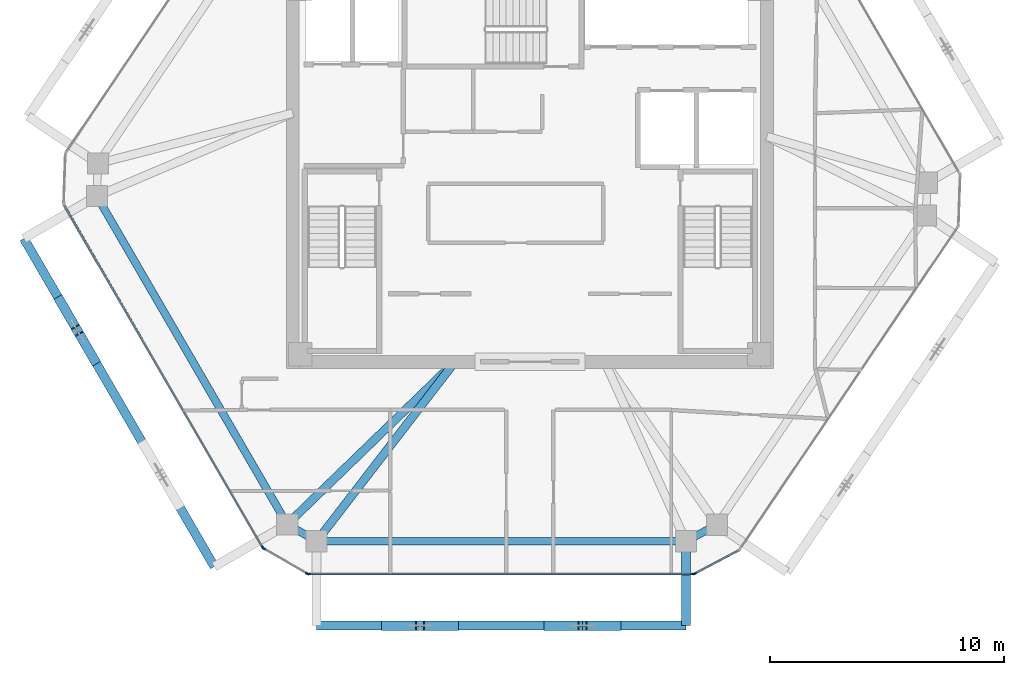
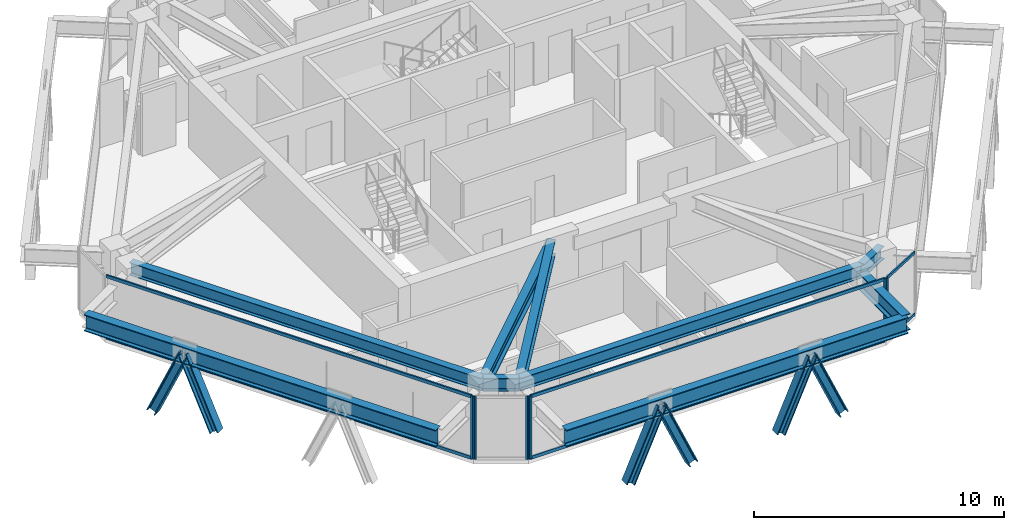
# One storey, part 2 of 13: 18 members, 9 beams, 4 elements without a shape of their own.
"""IFC4 building model written with IfcOpenShell, lengths in metres."""

from ifc_helpers import new_model, si_unit, direction, frame, origin, origin_2d, place, context, subcontext, project, spatial, rectangle, i_section, extrude, source, transform, mapped, material, layer, layer_set, material_profile, profile_set, type_object, type_shapes, element, aggregate, save


model = new_model("IFC4")

# Units and contexts
model_context = context("Model", 3, precision=1e-05, world=origin(), true_north=direction((0.0, 1.0)))
body_context = subcontext(model_context, "Body", "Model", "MODEL_VIEW")
ifc_project = project(units=[si_unit("LENGTHUNIT", "METRE"), si_unit("AREAUNIT", "SQUARE_METRE"), si_unit("VOLUMEUNIT", "CUBIC_METRE"), si_unit("PLANEANGLEUNIT", "RADIAN"), si_unit("MASSUNIT", "GRAM", prefix="KILO")], contexts=[model_context])

# Site, building, storey
site_placement = place(None, origin())
site = spatial("IfcSite", under=ifc_project, at=site_placement, CompositionType="ELEMENT")
building_placement = place(site_placement, origin())
building = spatial("IfcBuilding", under=site, at=building_placement, Name="Durnholm Broadcast Tower", CompositionType="ELEMENT")
storey_placement = place(building_placement, frame((0.0, 0.0, 241.39990234375)))
storey = spatial("IfcBuildingStorey", under=building, at=storey_placement, Name="L67", CompositionType="ELEMENT", Elevation=241.39990234375)

# Beams
ifc_material_1 = material(Name="Steel ASTM A992 Grade 50", Category="steel")
ifc_material_profile_1 = material_profile(ifc_material_1, i_section(OverallWidth=0.385009765625, OverallDepth=0.802978515625, WebThickness=0.023681640625, FlangeThickness=0.0419921875, FilletRadius=0.032958984375, at=origin_2d()), Name="W30X261")
ifc_profile_set_1 = profile_set([ifc_material_profile_1], Name="Steel ASTM A992 Grade 50")
beam_type_1 = type_object("IfcBeamType", Name="BM-EXO-TIE", PredefinedType="USERDEFINED", material=ifc_profile_set_1)
shared_shape_1 = source(origin(), body_context, "Body", "SweptSolid", [
    extrude(i_section(OverallWidth=0.385009765625, OverallDepth=0.802978515625, WebThickness=0.023681640625, FlangeThickness=0.0419921875, FilletRadius=0.032958984375, at=origin_2d()), origin(), (0.0, 0.0, 1.0), 3.4560546875),
])
beam_1_placement = place(storey_placement, frame((6.663818359375, -15.929931640625, 2.30859375), z_axis=(0.0, -1.0, 0.0), x_axis=(1.0, 0.0, 0.0)))
element("IfcBeam", 1, at=beam_1_placement, inside=storey, type_object=beam_type_1, Name="L67 exoskeleton stand-off tie bracket F1.2", ObjectType="GIRDER", PredefinedType="USERDEFINED", context=body_context, shape_type="MappedRepresentation", body=[
    mapped(shared_shape_1, transform((0.0, 0.0, 0.0), x_axis=(1.0, 0.0, 0.0), y_axis=(0.0, 1.0, 0.0), z_axis=(0.0, 0.0, 1.0), scale=1.0)),
])
ifc_material_profile_2 = material_profile(ifc_material_1, i_section(OverallWidth=0.3251953125, OverallDepth=0.6162109375, WebThickness=0.013916015625, FlangeThickness=0.021484375, FilletRadius=0.02783203125, at=origin_2d()), Name="W24X117")
ifc_profile_set_2 = profile_set([ifc_material_profile_2], Name="Steel ASTM A992 Grade 50")
beam_type_2 = type_object("IfcBeamType", Name="STL-SP-W24X117", PredefinedType="SPANDREL", material=ifc_profile_set_2)
shared_shape_2 = source(origin(), body_context, "Body", "SweptSolid", [
    extrude(i_section(OverallWidth=0.3251953125, OverallDepth=0.6162109375, WebThickness=0.013916015625, FlangeThickness=0.021484375, FilletRadius=0.02783203125, at=origin_2d()), origin(), (0.0, 0.0, 1.0), 16.202880859375),
])
beam_2_placement = place(storey_placement, frame((-10.361328125, -15.061767578125, 2.737060546875), z_axis=(-0.501948303381, 0.864897624423, 0.0), x_axis=(-0.864897624423, -0.501948303381, 0.0)))
element("IfcBeam", 2, at=beam_2_placement, inside=storey, type_object=beam_type_2, Name="L67 perimeter spandrel girder 01", PredefinedType="SPANDREL", context=body_context, shape_type="MappedRepresentation", body=[
    mapped(shared_shape_2, transform((0.0, 0.0, 0.0), x_axis=(1.0, 0.0, 0.0), y_axis=(0.0, 1.0, 0.0), z_axis=(0.0, 0.0, 1.0), scale=1.0)),
])
shared_shape_3 = source(origin(), body_context, "Body", "SweptSolid", [
    extrude(i_section(OverallWidth=0.3251953125, OverallDepth=0.6162109375, WebThickness=0.013916015625, FlangeThickness=0.021484375, FilletRadius=0.02783203125, at=origin_2d()), origin(), (0.0, 0.0, 1.0), 1.502685546875),
])
beam_3_placement = place(storey_placement, frame((7.990966796875, -15.081298828125, 2.737060546875), z_axis=(-0.883241909673, -0.468917614296, 0.0), x_axis=(0.468917614296, -0.883241909673, 0.0)))
element("IfcBeam", 3, at=beam_3_placement, inside=storey, type_object=beam_type_2, Name="L67 perimeter spandrel girder 10", PredefinedType="SPANDREL", context=body_context, shape_type="MappedRepresentation", body=[
    mapped(shared_shape_3, transform((0.0, 0.0, 0.0), x_axis=(1.0, 0.0, 0.0), y_axis=(0.0, 1.0, 0.0), z_axis=(0.0, 0.0, 1.0), scale=1.0)),
])
shared_shape_4 = source(origin(), body_context, "Body", "SweptSolid", [
    extrude(i_section(OverallWidth=0.3251953125, OverallDepth=0.6162109375, WebThickness=0.013916015625, FlangeThickness=0.021484375, FilletRadius=0.02783203125, at=origin_2d()), origin(), (0.0, 0.0, 1.0), 15.767578125),
])
beam_4_placement = place(storey_placement, frame((6.663818359375, -15.785888671875, 2.737060546875), z_axis=(-1.0, 0.0, 0.0), x_axis=(0.0, -1.0, 0.0)))
element("IfcBeam", 4, at=beam_4_placement, inside=storey, type_object=beam_type_2, Name="L67 perimeter spandrel girder 11", PredefinedType="SPANDREL", context=body_context, shape_type="MappedRepresentation", body=[
    mapped(shared_shape_4, transform((0.0, 0.0, 0.0), x_axis=(1.0, 0.0, 0.0), y_axis=(0.0, 1.0, 0.0), z_axis=(0.0, 0.0, 1.0), scale=1.0)),
])
shared_shape_5 = source(origin(), body_context, "Body", "SweptSolid", [
    extrude(i_section(OverallWidth=0.3251953125, OverallDepth=0.6162109375, WebThickness=0.013916015625, FlangeThickness=0.021484375, FilletRadius=0.02783203125, at=origin_2d()), origin(), (0.0, 0.0, 1.0), 1.451171875),
])
type_shapes(beam_type_2, [shared_shape_2, shared_shape_3, shared_shape_4, shared_shape_5])
beam_5_placement = place(storey_placement, frame((-9.103759765625, -15.785888671875, 2.737060546875), z_axis=(-0.866602615509, 0.498998904601, 0.0), x_axis=(-0.498998904601, -0.866602615509, 0.0)))
element("IfcBeam", 5, at=beam_5_placement, inside=storey, type_object=beam_type_2, Name="L67 perimeter spandrel girder 12", PredefinedType="SPANDREL", context=body_context, shape_type="MappedRepresentation", body=[
    mapped(shared_shape_5, transform((0.0, 0.0, 0.0), x_axis=(1.0, 0.0, 0.0), y_axis=(0.0, 1.0, 0.0), z_axis=(0.0, 0.0, 1.0), scale=1.0)),
])
shared_shape_6 = source(origin(), body_context, "Body", "SweptSolid", [
    extrude(i_section(OverallWidth=0.385009765625, OverallDepth=0.802978515625, WebThickness=0.023681640625, FlangeThickness=0.0419921875, FilletRadius=0.032958984375, at=origin_2d()), origin(), (0.0, 0.0, 1.0), 15.767578125),
])
beam_6_placement = place(storey_placement, frame((-9.103759765625, -19.385986328125, 2.30859375), z_axis=(1.0, 0.0, 0.0), x_axis=(0.0, 1.0, 0.0)))
element("IfcBeam", 6, at=beam_6_placement, inside=storey, type_object=beam_type_1, Name="L67 exoskeleton collector spandrel F1", PredefinedType="SPANDREL", context=body_context, shape_type="MappedRepresentation", body=[
    mapped(shared_shape_6, transform((0.0, 0.0, 0.0), x_axis=(1.0, 0.0, 0.0), y_axis=(0.0, 1.0, 0.0), z_axis=(0.0, 0.0, 1.0), scale=1.0)),
])
shared_shape_7 = source(origin(), body_context, "Body", "SweptSolid", [
    extrude(i_section(OverallWidth=0.385009765625, OverallDepth=0.802978515625, WebThickness=0.023681640625, FlangeThickness=0.0419921875, FilletRadius=0.032958984375, at=origin_2d()), origin(), (0.0, 0.0, 1.0), 16.20263671875),
])
type_shapes(beam_type_1, [shared_shape_1, shared_shape_6, shared_shape_7])
beam_7_placement = place(storey_placement, frame((-21.60791015625, -2.85498046875, 2.30859375), z_axis=(0.501943573333, -0.864900369516, 0.0), x_axis=(0.864900369516, 0.501943573333, 0.0)))
element("IfcBeam", 7, at=beam_7_placement, inside=storey, type_object=beam_type_1, Name="L67 exoskeleton collector spandrel F6", PredefinedType="SPANDREL", context=body_context, shape_type="MappedRepresentation", body=[
    mapped(shared_shape_7, transform((0.0, 0.0, 0.0), x_axis=(1.0, 0.0, 0.0), y_axis=(0.0, 1.0, 0.0), z_axis=(0.0, 0.0, 1.0), scale=1.0)),
])
ifc_material_profile_3 = material_profile(ifc_material_1, i_section(OverallWidth=0.3564453125, OverallDepth=0.713623046875, WebThickness=0.01904296875, FlangeThickness=0.033935546875, FilletRadius=0.030517578125, at=origin_2d()), Name="W27X194")
ifc_profile_set_3 = profile_set([ifc_material_profile_3], Name="Steel ASTM A992 Grade 50")
beam_type_3 = type_object("IfcBeamType", Name="STL-GR-W27X194", PredefinedType="USERDEFINED", material=ifc_profile_set_3)
shared_shape_8 = source(origin(), body_context, "Body", "SweptSolid", [
    extrude(i_section(OverallWidth=0.3564453125, OverallDepth=0.713623046875, WebThickness=0.01904296875, FlangeThickness=0.033935546875, FilletRadius=0.030517578125, at=origin_2d()), origin(), (0.0, 0.0, 1.0), 9.97021484375),
])
beam_8_placement = place(storey_placement, frame((-3.199951171875, -8.125, 2.688232421875), z_axis=(-0.718281140352, -0.695752975857, 0.0), x_axis=(0.695752975857, -0.718281140352, 0.0)))
element("IfcBeam", 8, at=beam_8_placement, inside=storey, type_object=beam_type_3, Name="L67 radial primary floor girder 01", ObjectType="GIRDER", PredefinedType="USERDEFINED", context=body_context, shape_type="MappedRepresentation", body=[
    mapped(shared_shape_8, transform((0.0, 0.0, 0.0), x_axis=(1.0, 0.0, 0.0), y_axis=(0.0, 1.0, 0.0), z_axis=(0.0, 0.0, 1.0), scale=1.0)),
])
shared_shape_9 = source(origin(), body_context, "Body", "SweptSolid", [
    extrude(i_section(OverallWidth=0.3564453125, OverallDepth=0.713623046875, WebThickness=0.01904296875, FlangeThickness=0.033935546875, FilletRadius=0.030517578125, at=origin_2d()), origin(), (0.0, 0.0, 1.0), 9.671875),
])
type_shapes(beam_type_3, [shared_shape_8, shared_shape_9])
beam_9_placement = place(storey_placement, frame((-3.199951171875, -8.125, 2.688232421875), z_axis=(-0.610413181287, -0.792083169945, 0.0), x_axis=(0.792083169945, -0.610413181287, 0.0)))
element("IfcBeam", 9, at=beam_9_placement, inside=storey, type_object=beam_type_3, Name="L67 radial primary floor girder 12", ObjectType="GIRDER", PredefinedType="USERDEFINED", context=body_context, shape_type="MappedRepresentation", body=[
    mapped(shared_shape_9, transform((0.0, 0.0, 0.0), x_axis=(1.0, 0.0, 0.0), y_axis=(0.0, 1.0, 0.0), z_axis=(0.0, 0.0, 1.0), scale=1.0)),
])

# Members
ifc_material_2 = material(Name="Steel ASTM A913 Grade 65", Category="steel")
ifc_material_profile_4 = material_profile(ifc_material_2, i_section(OverallWidth=0.40625, OverallDepth=0.416015625, WebThickness=0.02978515625, FlangeThickness=0.048095703125, FilletRadius=0.030517578125, at=origin_2d()), Name="W14X257")
ifc_profile_set_4 = profile_set([ifc_material_profile_4], Name="Steel ASTM A913 Grade 65")
member_type_1 = type_object("IfcMemberType", Name="STL-DG-W14X257", PredefinedType="BRACE", material=ifc_profile_set_4)
shared_shape_10 = source(origin(), body_context, "Body", "SweptSolid", [
    extrude(i_section(OverallWidth=0.40625, OverallDepth=0.416015625, WebThickness=0.02978515625, FlangeThickness=0.048095703125, FilletRadius=0.030517578125, at=origin_2d()), origin(), (0.0, 0.0, 1.0), 3.60791015625),
])
for number, where, z_axis, x_axis, name in (
    (10, (-6.14697265625, -19.385986328125, -0.991455078125), (0.404184914295, 0.0, 0.914677295584), (0.0, 1.0, 0.0), "L67 stand-off diagrid brace F1.D1.1"),
    (11, (0.79052734375, -19.385986328125, -0.991455078125), (0.404184914295, 0.0, 0.914677295584), (0.0, 1.0, 0.0), "L67 stand-off diagrid brace F1.D2.1"),
    (12, (3.70703125, -19.385986328125, -0.991455078125), (-0.404184914295, 0.0, 0.914677295584), (0.0, -1.0, 0.0), "L67 stand-off diagrid brace F1.D2.2"),
    (13, (-20.0625, -5.517578125, -0.991455078125), (0.202806304578, -0.349582038522, 0.914692298626), (0.864978863669, 0.501808295473, 0.0), "L67 stand-off diagrid brace F6.D1.1"),
    (14, (-18.5986328125, -8.0400390625, -0.991455078125), (-0.202936072208, 0.349572440488, 0.914667185072), (-0.864833498681, -0.50205878098, 0.0), "L67 stand-off diagrid brace F6.D1.2"),
):
    element("IfcMember", number, at=place(storey_placement, frame(where, z_axis=z_axis, x_axis=x_axis)), inside=storey, type_object=member_type_1, Name=name, PredefinedType="BRACE", context=body_context, shape_type="MappedRepresentation", body=[
        mapped(shared_shape_10, transform((0.0, 0.0, 0.0), x_axis=(1.0, 0.0, 0.0), y_axis=(0.0, 1.0, 0.0), z_axis=(0.0, 0.0, 1.0), scale=1.0)),
    ])
shared_shape_11 = source(origin(), body_context, "Body", "SweptSolid", [
    extrude(i_section(OverallWidth=0.40625, OverallDepth=0.416015625, WebThickness=0.02978515625, FlangeThickness=0.048095703125, FilletRadius=0.030517578125, at=origin_2d()), origin(), (0.0, 0.0, 1.0), 3.607666015625),
])
type_shapes(member_type_1, [shared_shape_10, shared_shape_11])
member_1_placement = place(storey_placement, frame((-3.230712890625, -19.385986328125, -0.991455078125), z_axis=(-0.404128298032, 0.0, 0.914702311536), x_axis=(0.0, -1.0, 0.0)))
element("IfcMember", 15, at=member_1_placement, inside=storey, type_object=member_type_1, Name="L67 stand-off diagrid brace F1.D1.2", PredefinedType="BRACE", context=body_context, shape_type="MappedRepresentation", body=[
    mapped(shared_shape_11, transform((0.0, 0.0, 0.0), x_axis=(1.0, 0.0, 0.0), y_axis=(0.0, 1.0, 0.0), z_axis=(0.0, 0.0, 1.0), scale=1.0)),
])

# Curtain wall, members
ifc_material_3 = material(Name="Aluminium and Solar Control IGU", Category="aluminium")
ifc_layer_1 = layer(ifc_material_3, 0.1650390625)
ifc_layer_set_1 = layer_set([ifc_layer_1], Name="Aluminium and Solar Control IGU")
curtain_wall_type_1 = type_object("IfcCurtainWallType", Name="CW-SYS-5", PredefinedType="NOTDEFINED", material=ifc_layer_set_1)
curtain_wall_1_placement = place(storey_placement, origin())
curtain_wall_1 = element("IfcCurtainWall", 16, at=curtain_wall_1_placement, inside=storey, type_object=curtain_wall_type_1, Name="L67 curtain wall CW-CORNER CW-L67-CRN-09", PredefinedType="NOTDEFINED")
ifc_material_4 = material(Name="Aluminium 6063-T6", Category="aluminium")
ifc_material_profile_5 = material_profile(ifc_material_4, rectangle(XDim=0.06494140625, YDim=0.1298828125, at=origin_2d()), Name="CWT65X130")
ifc_profile_set_5 = profile_set([ifc_material_profile_5], Name="Aluminium 6063-T6")
member_type_2 = type_object("IfcMemberType", Name="CW-SYS-5-TRN", PredefinedType="USERDEFINED", material=ifc_profile_set_5)
shared_shape_12 = source(origin(), body_context, "Body", "SweptSolid", [
    extrude(rectangle(XDim=0.06494140625, YDim=0.1298828125, at=origin_2d()), origin(), (0.0, 0.0, 1.0), 2.070068359375),
])
type_shapes(member_type_2, [shared_shape_12])
member_2_placement = place(storey_placement, frame((8.89794921875, -16.1845703125, 0.03271484375), z_axis=(-0.883164581026, -0.469063239682, 0.0), x_axis=(0.469063239682, -0.883164581026, 0.0)))
member_2 = element("IfcMember", 17, at=member_2_placement, type_object=member_type_2, Name="CW-CORNER transom 1.1", ObjectType="TRANSOM", PredefinedType="USERDEFINED", context=body_context, shape_type="MappedRepresentation", body=[
    mapped(shared_shape_12, transform((0.0, 0.0, 0.0), x_axis=(1.0, 0.0, 0.0), y_axis=(0.0, 1.0, 0.0), z_axis=(0.0, 0.0, 1.0), scale=1.0)),
])
member_3_placement = place(storey_placement, frame((8.89794921875, -16.1845703125, 3.027587890625), z_axis=(-0.883164581026, -0.469063239682, 0.0), x_axis=(0.469063239682, -0.883164581026, 0.0)))
member_3 = element("IfcMember", 18, at=member_3_placement, type_object=member_type_2, Name="CW-CORNER transom 1.2", ObjectType="TRANSOM", PredefinedType="USERDEFINED", context=body_context, shape_type="MappedRepresentation", body=[
    mapped(shared_shape_12, transform((0.0, 0.0, 0.0), x_axis=(1.0, 0.0, 0.0), y_axis=(0.0, 1.0, 0.0), z_axis=(0.0, 0.0, 1.0), scale=1.0)),
])
ifc_material_profile_6 = material_profile(ifc_material_4, rectangle(XDim=0.06494140625, YDim=0.1650390625, at=origin_2d()), Name="CWM65X165")
ifc_profile_set_6 = profile_set([ifc_material_profile_6], Name="Aluminium 6063-T6")
member_type_3 = type_object("IfcMemberType", Name="CW-SYS-5-MUL", PredefinedType="MULLION", material=ifc_profile_set_6)
shared_shape_13 = source(origin(), body_context, "Body", "SweptSolid", [
    extrude(rectangle(XDim=0.06494140625, YDim=0.1650390625, at=origin_2d()), origin(), (0.0, 0.0, 1.0), 3.06005859375),
])
type_shapes(member_type_3, [shared_shape_13])
member_4_placement = place(storey_placement, frame((7.041015625, -17.170654296875, 0.0), z_axis=(0.0, 0.0, 1.0), x_axis=(0.469006771575, -0.883194569853, 0.0)))
member_4 = element("IfcMember", 19, at=member_4_placement, type_object=member_type_3, Name="CW-CORNER mullion 2", PredefinedType="MULLION", context=body_context, shape_type="MappedRepresentation", body=[
    mapped(shared_shape_13, transform((0.0, 0.0, 0.0), x_axis=(1.0, 0.0, 0.0), y_axis=(0.0, 1.0, 0.0), z_axis=(0.0, 0.0, 1.0), scale=1.0)),
])
aggregate(curtain_wall_1, [member_4, member_2, member_3])

curtain_wall_2_placement = place(storey_placement, origin())
curtain_wall_2 = element("IfcCurtainWall", 20, at=curtain_wall_2_placement, inside=storey, type_object=curtain_wall_type_1, Name="L67 curtain wall CW-CORNER CW-L67-CRN-11", PredefinedType="NOTDEFINED")
member_5_placement = place(storey_placement, frame((-9.506103515625, -17.169677734375, 0.0), z_axis=(0.0, 0.0, 1.0), x_axis=(-0.499058582333, -0.866568249707, 0.0)))
member_5 = element("IfcMember", 21, at=member_5_placement, type_object=member_type_3, Name="CW-CORNER mullion 1", PredefinedType="MULLION", context=body_context, shape_type="MappedRepresentation", body=[
    mapped(shared_shape_13, transform((0.0, 0.0, 0.0), x_axis=(1.0, 0.0, 0.0), y_axis=(0.0, 1.0, 0.0), z_axis=(0.0, 0.0, 1.0), scale=1.0)),
])
member_6_placement = place(storey_placement, frame((-11.356201171875, -16.104248046875, 0.0), z_axis=(0.0, 0.0, 1.0), x_axis=(-0.499058582333, -0.866568249707, 0.0)))
member_6 = element("IfcMember", 22, at=member_6_placement, type_object=member_type_3, Name="CW-CORNER mullion 2", PredefinedType="MULLION", context=body_context, shape_type="MappedRepresentation", body=[
    mapped(shared_shape_13, transform((0.0, 0.0, 0.0), x_axis=(1.0, 0.0, 0.0), y_axis=(0.0, 1.0, 0.0), z_axis=(0.0, 0.0, 1.0), scale=1.0)),
])
aggregate(curtain_wall_2, [member_5, member_6])

ifc_layer_2 = layer(ifc_material_3, 0.18994140625)
ifc_layer_set_2 = layer_set([ifc_layer_2], Name="Aluminium and Solar Control IGU")
curtain_wall_type_2 = type_object("IfcCurtainWallType", Name="CW-SYS-4", PredefinedType="NOTDEFINED", material=ifc_layer_set_2)
curtain_wall_3_placement = place(storey_placement, origin())
curtain_wall_3 = element("IfcCurtainWall", 23, at=curtain_wall_3_placement, inside=storey, type_object=curtain_wall_type_2, Name="L67 curtain wall CW-Z34-VIS CW-L67-F10", PredefinedType="NOTDEFINED")
ifc_material_profile_7 = material_profile(ifc_material_4, rectangle(XDim=0.070068359375, YDim=0.18994140625, at=origin_2d()), Name="CWM70X190")
ifc_profile_set_7 = profile_set([ifc_material_profile_7], Name="Aluminium 6063-T6")
member_type_4 = type_object("IfcMemberType", Name="CW-SYS-4-MUL", PredefinedType="MULLION", material=ifc_profile_set_7)
shared_shape_14 = source(origin(), body_context, "Body", "SweptSolid", [
    extrude(rectangle(XDim=0.070068359375, YDim=0.18994140625, at=origin_2d()), origin(), (0.0, 0.0, 1.0), 3.06005859375),
])
type_shapes(member_type_4, [shared_shape_14])
member_7_placement = place(storey_placement, frame((6.977294921875, -17.18603515625, 0.0), z_axis=(0.0, 0.0, 1.0), x_axis=(0.0, -1.0, 0.0)))
member_7 = element("IfcMember", 24, at=member_7_placement, type_object=member_type_4, Name="CW-Z34-VIS mullion 1", PredefinedType="MULLION", context=body_context, shape_type="MappedRepresentation", body=[
    mapped(shared_shape_14, transform((0.0, 0.0, 0.0), x_axis=(1.0, 0.0, 0.0), y_axis=(0.0, 1.0, 0.0), z_axis=(0.0, 0.0, 1.0), scale=1.0)),
])
member_8_placement = place(storey_placement, frame((-9.443115234375, -17.18603515625, 0.0), z_axis=(0.0, 0.0, 1.0), x_axis=(0.0, -1.0, 0.0)))
member_8 = element("IfcMember", 25, at=member_8_placement, type_object=member_type_4, Name="CW-Z34-VIS mullion 2", PredefinedType="MULLION", context=body_context, shape_type="MappedRepresentation", body=[
    mapped(shared_shape_14, transform((0.0, 0.0, 0.0), x_axis=(1.0, 0.0, 0.0), y_axis=(0.0, 1.0, 0.0), z_axis=(0.0, 0.0, 1.0), scale=1.0)),
])

# Curtain wall, member
curtain_wall_4_placement = place(storey_placement, origin())
curtain_wall_4 = element("IfcCurtainWall", 26, at=curtain_wall_4_placement, inside=storey, type_object=curtain_wall_type_2, Name="L67 curtain wall CW-Z34-VIS CW-L67-F12", PredefinedType="NOTDEFINED")
member_9_placement = place(storey_placement, frame((-11.40185546875, -16.057861328125, 0.0), z_axis=(0.0, 0.0, 1.0), x_axis=(-0.864899883824, -0.50194441023, 0.0)))
member_9 = element("IfcMember", 27, at=member_9_placement, type_object=member_type_4, Name="CW-Z34-VIS mullion 1", PredefinedType="MULLION", context=body_context, shape_type="MappedRepresentation", body=[
    mapped(shared_shape_14, transform((0.0, 0.0, 0.0), x_axis=(1.0, 0.0, 0.0), y_axis=(0.0, 1.0, 0.0), z_axis=(0.0, 0.0, 1.0), scale=1.0)),
])

# Member
ifc_material_profile_8 = material_profile(ifc_material_4, rectangle(XDim=0.070068359375, YDim=0.14990234375, at=origin_2d()), Name="CWT70X150")
ifc_profile_set_8 = profile_set([ifc_material_profile_8], Name="Aluminium 6063-T6")
member_type_5 = type_object("IfcMemberType", Name="CW-SYS-4-TRN", PredefinedType="USERDEFINED", material=ifc_profile_set_8)
shared_shape_15 = source(origin(), body_context, "Body", "SweptSolid", [
    extrude(rectangle(XDim=0.070068359375, YDim=0.14990234375, at=origin_2d()), origin(), (0.0, 0.0, 1.0), 16.350341796875),
])
member_10_placement = place(storey_placement, frame((6.9423828125, -17.18603515625, 0.03515625), z_axis=(-1.0, 0.0, 0.0), x_axis=(0.0, -1.0, 0.0)))
member_10 = element("IfcMember", 28, at=member_10_placement, type_object=member_type_5, Name="CW-Z34-VIS transom 1.1", ObjectType="TRANSOM", PredefinedType="USERDEFINED", context=body_context, shape_type="MappedRepresentation", body=[
    mapped(shared_shape_15, transform((0.0, 0.0, 0.0), x_axis=(1.0, 0.0, 0.0), y_axis=(0.0, 1.0, 0.0), z_axis=(0.0, 0.0, 1.0), scale=1.0)),
])

member_11_placement = place(storey_placement, frame((6.9423828125, -17.18603515625, 3.025146484375), z_axis=(-1.0, 0.0, 0.0), x_axis=(0.0, -1.0, 0.0)))
member_11 = element("IfcMember", 29, at=member_11_placement, type_object=member_type_5, Name="CW-Z34-VIS transom 1.2", ObjectType="TRANSOM", PredefinedType="USERDEFINED", context=body_context, shape_type="MappedRepresentation", body=[
    mapped(shared_shape_15, transform((0.0, 0.0, 0.0), x_axis=(1.0, 0.0, 0.0), y_axis=(0.0, 1.0, 0.0), z_axis=(0.0, 0.0, 1.0), scale=1.0)),
])

aggregate(curtain_wall_3, [member_7, member_8, member_10, member_11])

shared_shape_16 = source(origin(), body_context, "Body", "SweptSolid", [
    extrude(rectangle(XDim=0.070068359375, YDim=0.14990234375, at=origin_2d()), origin(), (0.0, 0.0, 1.0), 16.83984375),
])
type_shapes(member_type_5, [shared_shape_15, shared_shape_16])
member_12_placement = place(storey_placement, frame((-11.41943359375, -16.027587890625, 0.03515625), z_axis=(-0.501945239029, 0.86489940283, 0.0), x_axis=(-0.86489940283, -0.501945239029, 0.0)))
member_12 = element("IfcMember", 30, at=member_12_placement, type_object=member_type_5, Name="CW-Z34-VIS transom 1.1", ObjectType="TRANSOM", PredefinedType="USERDEFINED", context=body_context, shape_type="MappedRepresentation", body=[
    mapped(shared_shape_16, transform((0.0, 0.0, 0.0), x_axis=(1.0, 0.0, 0.0), y_axis=(0.0, 1.0, 0.0), z_axis=(0.0, 0.0, 1.0), scale=1.0)),
])

member_13_placement = place(storey_placement, frame((-11.41943359375, -16.027587890625, 3.025146484375), z_axis=(-0.501945239029, 0.86489940283, 0.0), x_axis=(-0.86489940283, -0.501945239029, 0.0)))
member_13 = element("IfcMember", 31, at=member_13_placement, type_object=member_type_5, Name="CW-Z34-VIS transom 1.2", ObjectType="TRANSOM", PredefinedType="USERDEFINED", context=body_context, shape_type="MappedRepresentation", body=[
    mapped(shared_shape_16, transform((0.0, 0.0, 0.0), x_axis=(1.0, 0.0, 0.0), y_axis=(0.0, 1.0, 0.0), z_axis=(0.0, 0.0, 1.0), scale=1.0)),
])

aggregate(curtain_wall_4, [member_9, member_12, member_13])

save(model, "model.ifc")
